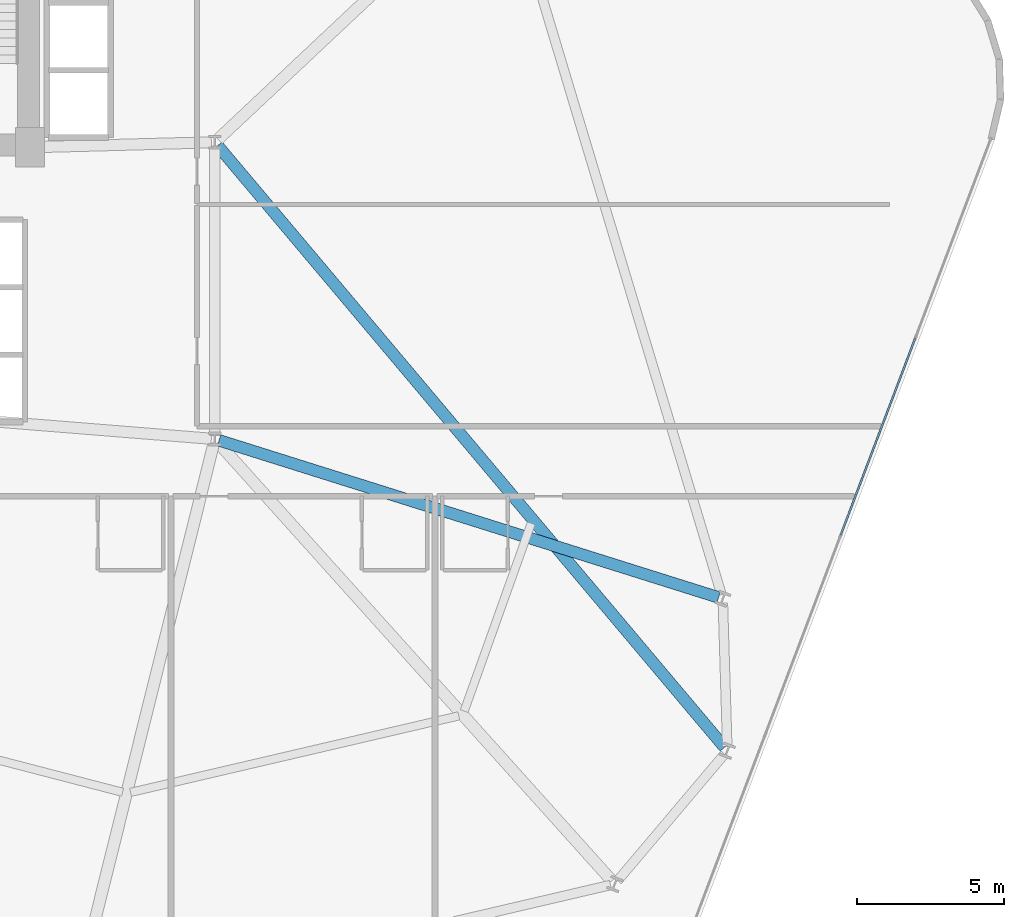
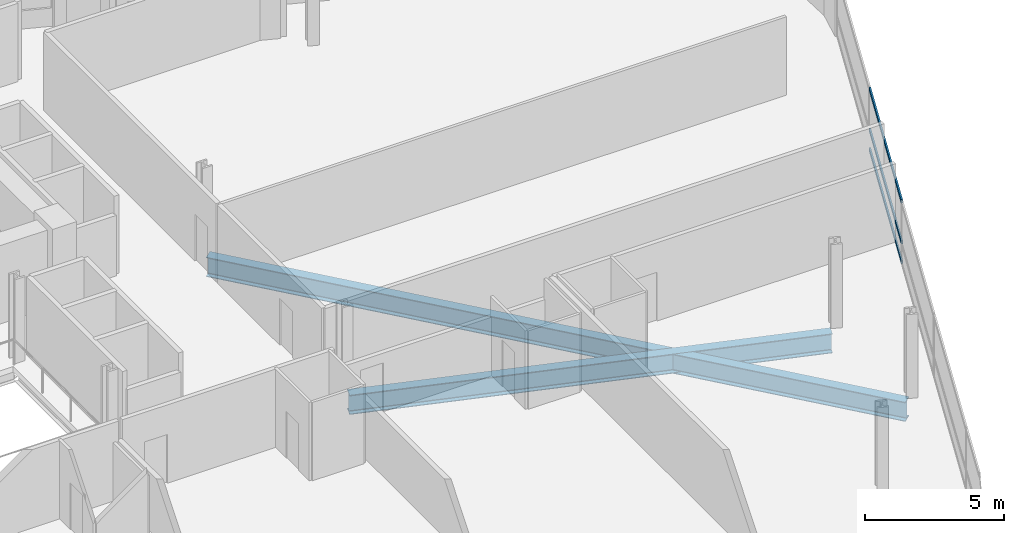
# One storey, part 12 of 25: 3 members, 2 beams, 1 element without a shape of its own.
"""IFC4 building model written with IfcOpenShell, lengths in metres."""

from ifc_helpers import new_model, si_unit, direction, frame, origin, origin_2d, place, context, subcontext, project, spatial, hollow_rectangle, i_section, extrude, material, layer, layer_set, material_profile, profile_set, type_object, element, aggregate, save


model = new_model("IFC4")

# Units and contexts
model_context = context("Model", 3, precision=1e-05, world=origin(), true_north=direction((0.0, 1.0)))
body_context = subcontext(model_context, "Body", "Model", "MODEL_VIEW")
ifc_project = project(units=[si_unit("LENGTHUNIT", "METRE"), si_unit("AREAUNIT", "SQUARE_METRE"), si_unit("VOLUMEUNIT", "CUBIC_METRE"), si_unit("PLANEANGLEUNIT", "RADIAN"), si_unit("MASSUNIT", "GRAM", prefix="KILO")], contexts=[model_context])

# Site, building, storey
site_placement = place(None, origin())
site = spatial("IfcSite", under=ifc_project, at=site_placement, CompositionType="ELEMENT")
building_placement = place(site_placement, origin())
building = spatial("IfcBuilding", under=site, at=building_placement, Name="Varnelok Gate Tower", CompositionType="ELEMENT")
storey_placement = place(building_placement, frame((0.0, 0.0, 79.89990234375)))
storey = spatial("IfcBuildingStorey", under=building, at=storey_placement, Name="L19", CompositionType="ELEMENT", Elevation=79.89990234375)

# Beams
ifc_material_1 = material(Name="Structural Steel ASTM A992 Grade 50", Category="steel")
ifc_material_profile_1 = material_profile(ifc_material_1, i_section(OverallWidth=0.39892578125, OverallDepth=0.85498046875, WebThickness=0.018310546875, FlangeThickness=0.029296875, FilletRadius=0.02392578125, at=origin_2d()), Name="W33X201")
ifc_profile_set_1 = profile_set([ifc_material_profile_1], Name="Structural Steel ASTM A992 Grade 50")
beam_type = type_object("IfcBeamType", Name="BM-PRI-W33X201", PredefinedType="BEAM", material=ifc_profile_set_1)
beam_1_placement = place(storey_placement, frame((54.0966796875, 28.805419921875, -0.677490234375), z_axis=(0.644241110533, -0.764822457502, 0.0), x_axis=(0.764822457502, 0.644241110533, 0.0)))
element("IfcBeam", 1, at=beam_1_placement, inside=storey, type_object=beam_type, Name="L19 Radial Floor Girder 7", PredefinedType="BEAM", context=body_context, shape_type="SweptSolid", body=[
    extrude(i_section(OverallWidth=0.39892578125, OverallDepth=0.85498046875, WebThickness=0.018310546875, FlangeThickness=0.029296875, FilletRadius=0.02392578125, at=origin_2d()), origin(), (0.0, 0.0, 1.0), 26.8271484375),
])
beam_2_placement = place(storey_placement, frame((54.14306640625, 18.7548828125, -0.677490234375), z_axis=(0.953948561039, -0.299970236678, 0.0), x_axis=(0.299970236678, 0.953948561039, 0.0)))
element("IfcBeam", 2, at=beam_2_placement, inside=storey, type_object=beam_type, Name="L19 Radial Floor Girder 8", PredefinedType="BEAM", context=body_context, shape_type="SweptSolid", body=[
    extrude(i_section(OverallWidth=0.39892578125, OverallDepth=0.85498046875, WebThickness=0.018310546875, FlangeThickness=0.029296875, FilletRadius=0.02392578125, at=origin_2d()), origin(), (0.0, 0.0, 1.0), 17.85498046875),
])

# Curtain wall, members
ifc_material_2 = material(Name="Anodized Aluminum Alloy 6063-T6", Category="aluminium")
ifc_layer = layer(ifc_material_2, 0.179931640625)
ifc_layer_set = layer_set([ifc_layer], Name="Anodized Aluminum Alloy 6063-T6")
curtain_wall_type = type_object("IfcCurtainWallType", Name="CW3-HOTEL-VISION", PredefinedType="USERDEFINED", material=ifc_layer_set)
curtain_wall_placement = place(storey_placement, origin())
curtain_wall = element("IfcCurtainWall", 3, at=curtain_wall_placement, inside=storey, type_object=curtain_wall_type, Name="L19 East End Vision Curtain Wall", ObjectType="UNITISED CURTAIN WALL", PredefinedType="USERDEFINED")
ifc_material_profile_2 = material_profile(ifc_material_2, hollow_rectangle(XDim=0.06494140625, YDim=0.159912109375, WallThickness=0.00390625, at=origin_2d()), Name="ALU160X65X4")
ifc_profile_set_2 = profile_set([ifc_material_profile_2], Name="Anodized Aluminum Alloy 6063-T6")
member_type = type_object("IfcMemberType", Name="CW-TRAN-160", PredefinedType="USERDEFINED", material=ifc_profile_set_2)
member_1_placement = place(storey_placement, frame((77.8798828125, 22.233642578125, 0.03271484375), z_axis=(-0.354048963644, -0.935226887628, 0.0), x_axis=(0.935226887628, -0.354048963644, 0.0)))
member_1 = element("IfcMember", 4, at=member_1_placement, type_object=member_type, Name="CW3 transom 2.1", ObjectType="TRANSOM", PredefinedType="USERDEFINED", context=body_context, shape_type="SweptSolid", body=[
    extrude(hollow_rectangle(XDim=0.06494140625, YDim=0.159912109375, WallThickness=0.00390625, at=origin_2d()), origin(), (0.0, 0.0, 1.0), 7.175048828125),
])
member_2_placement = place(storey_placement, frame((77.8798828125, 22.233642578125, 0.900146484375), z_axis=(-0.354048963644, -0.935226887628, 0.0), x_axis=(0.935226887628, -0.354048963644, 0.0)))
member_2 = element("IfcMember", 5, at=member_2_placement, type_object=member_type, Name="CW3 transom 2.2", ObjectType="TRANSOM", PredefinedType="USERDEFINED", context=body_context, shape_type="SweptSolid", body=[
    extrude(hollow_rectangle(XDim=0.06494140625, YDim=0.159912109375, WallThickness=0.00390625, at=origin_2d()), origin(), (0.0, 0.0, 1.0), 7.175048828125),
])
member_3_placement = place(storey_placement, frame((77.8798828125, 22.233642578125, 2.697509765625), z_axis=(-0.354048963644, -0.935226887628, 0.0), x_axis=(0.935226887628, -0.354048963644, 0.0)))
member_3 = element("IfcMember", 6, at=member_3_placement, type_object=member_type, Name="CW3 transom 2.3", ObjectType="TRANSOM", PredefinedType="USERDEFINED", context=body_context, shape_type="SweptSolid", body=[
    extrude(hollow_rectangle(XDim=0.06494140625, YDim=0.159912109375, WallThickness=0.00390625, at=origin_2d()), origin(), (0.0, 0.0, 1.0), 7.175048828125),
])
aggregate(curtain_wall, [member_1, member_2, member_3])

save(model, "model.ifc")
